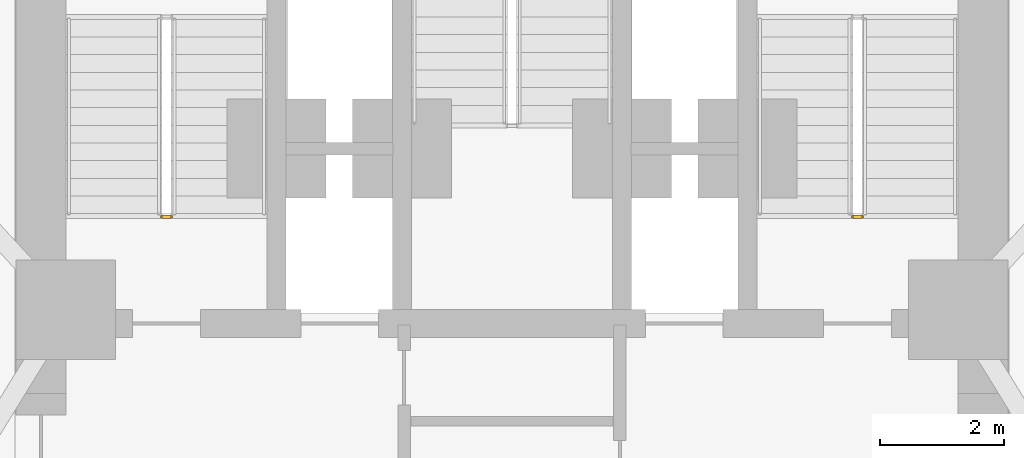
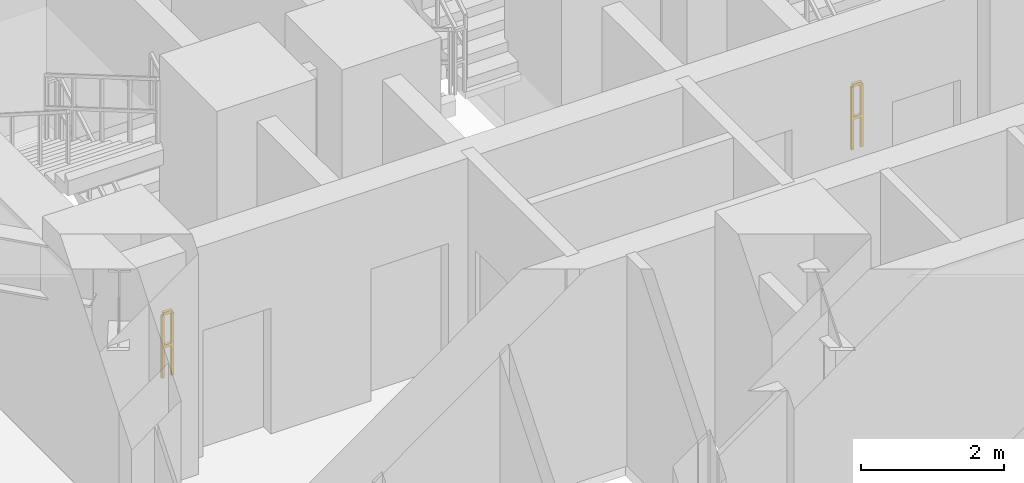
# One storey, part 13 of 16: 2 railings.
"""IFC4 building model written with IfcOpenShell, lengths in metres."""

from ifc_helpers import new_model, si_unit, direction, frame, origin, origin_2d, place, context, subcontext, project, spatial, rectangle, extrude, material, type_object, element, save


model = new_model("IFC4")

# Units and contexts
model_context = context("Model", 3, precision=1e-05, world=origin(), true_north=direction((0.0, 1.0)))
body_context = subcontext(model_context, "Body", "Model", "MODEL_VIEW")
ifc_project = project(units=[si_unit("LENGTHUNIT", "METRE"), si_unit("AREAUNIT", "SQUARE_METRE"), si_unit("VOLUMEUNIT", "CUBIC_METRE"), si_unit("PLANEANGLEUNIT", "RADIAN"), si_unit("MASSUNIT", "GRAM", prefix="KILO")], contexts=[model_context])

# Site, building, storey
site_placement = place(None, origin())
site = spatial("IfcSite", under=ifc_project, at=site_placement, CompositionType="ELEMENT")
building_placement = place(site_placement, origin())
building = spatial("IfcBuilding", under=site, at=building_placement, Name="Apsidion Concourse Tower", CompositionType="ELEMENT")
storey_placement = place(building_placement, frame((0.0, 0.0, 58.39990234375)))
storey = spatial("IfcBuildingStorey", under=building, at=storey_placement, Name="L12", CompositionType="ELEMENT", Elevation=58.39990234375)

# Railings
ifc_material = material(Name="Brushed stainless steel 316", Category="steel")
railing_type = type_object("IfcRailingType", Name="RL-GUARD-1100", PredefinedType="GUARDRAIL", material=ifc_material)
for number, where, name in (
    (1, (-5.5, 2.949951171875, 0.0), "L12 ST1 stair guard 4"),
    (2, (5.64990234375, 2.949951171875, 0.0), "L12 ST2 stair guard 4"),
):
    element("IfcRailing", number, at=place(storey_placement, frame(where)), inside=storey, type_object=railing_type, Name=name, PredefinedType="GUARDRAIL", context=body_context, shape_type="SweptSolid", body=[
        extrude(rectangle(XDim=0.048095703125, YDim=0.048095703125, at=origin_2d()), frame((0.0, 0.0, 1.09619140625), z_axis=(-1.0, 0.0, 0.0), x_axis=(0.0, -1.0, 0.0)), (0.0, 0.0, 1.0), 0.14990234375),
        extrude(rectangle(XDim=0.048095703125, YDim=0.048095703125, at=origin_2d()), frame((0.0, 0.0, 0.5361328125), z_axis=(-1.0, 0.0, 0.0), x_axis=(0.0, -1.0, 0.0)), (0.0, 0.0, 1.0), 0.14990234375),
        extrude(rectangle(XDim=0.0419921875, YDim=0.0419921875, at=origin_2d()), origin(), (0.0, 0.0, 1.0), 1.072021484375),
        extrude(rectangle(XDim=0.0419921875, YDim=0.0419921875, at=origin_2d()), frame((-0.14990234375, 0.0, 0.0)), (0.0, 0.0, 1.0), 1.072021484375),
    ])

save(model, "model.ifc")
